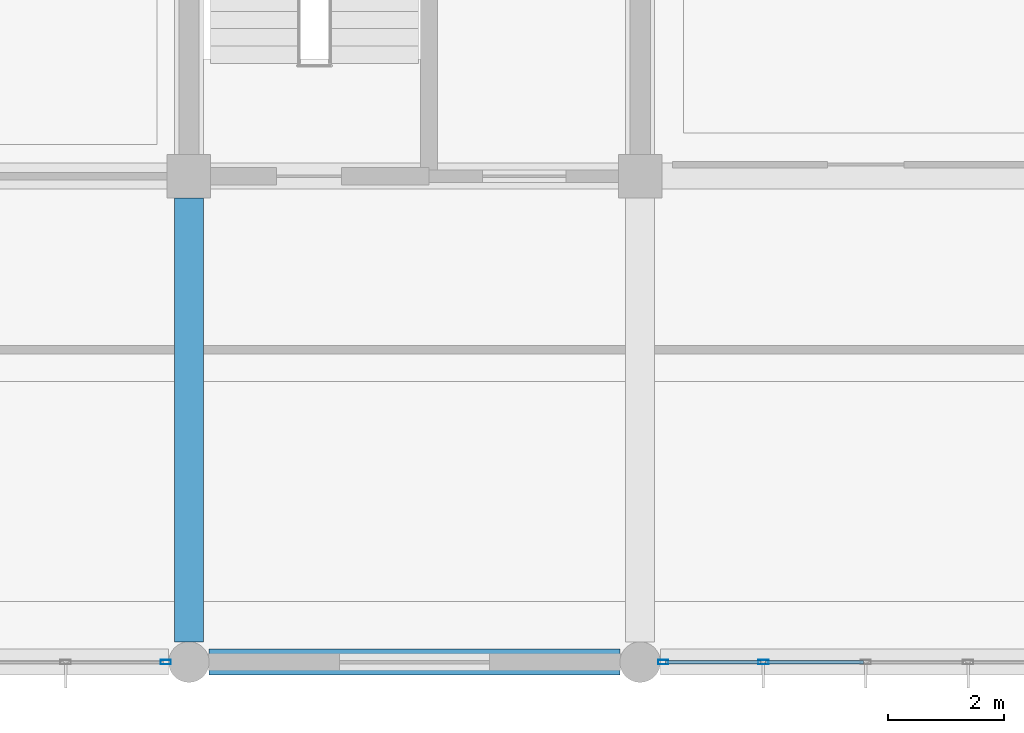
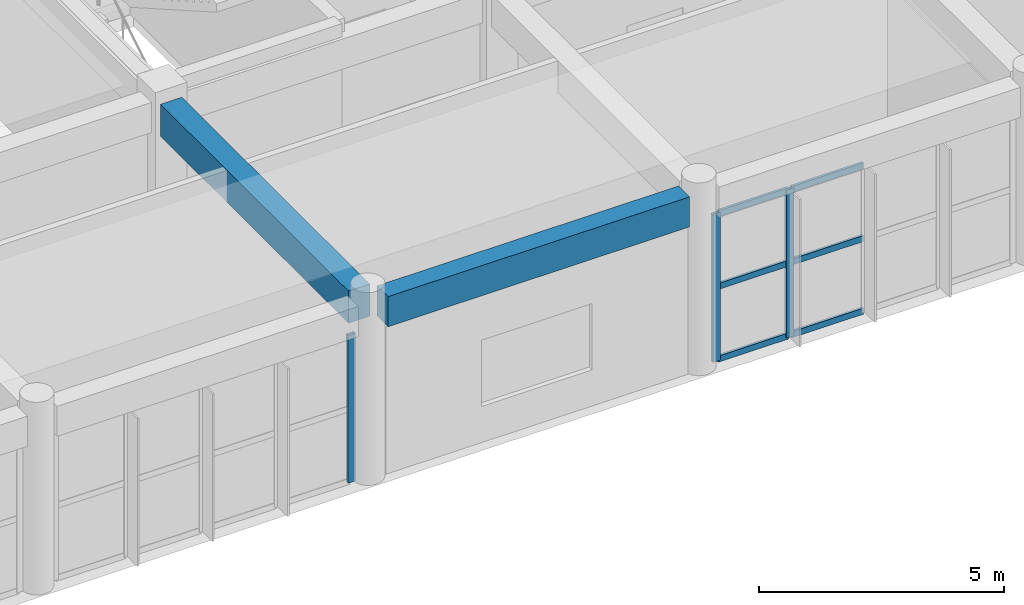
# One storey, part 31 of 175: 9 members, 2 beams, 2 elements without a shape of their own.
"""IFC4 building model written with IfcOpenShell, lengths in metres."""

from ifc_helpers import new_model, si_unit, direction, frame, origin, origin_2d, place, context, subcontext, project, spatial, rectangle, hollow_rectangle, extrude, material, layer, layer_set, material_profile, profile_set, type_object, element, aggregate, save


model = new_model("IFC4")

# Units and contexts
model_context = context("Model", 3, precision=1e-05, world=origin(), true_north=direction((0.0, 1.0)))
body_context = subcontext(model_context, "Body", "Model", "MODEL_VIEW")
ifc_project = project(units=[si_unit("LENGTHUNIT", "METRE"), si_unit("AREAUNIT", "SQUARE_METRE"), si_unit("VOLUMEUNIT", "CUBIC_METRE"), si_unit("PLANEANGLEUNIT", "RADIAN"), si_unit("MASSUNIT", "GRAM", prefix="KILO")], contexts=[model_context])

# Site, building, storey
site_placement = place(None, origin())
site = spatial("IfcSite", under=ifc_project, at=site_placement, CompositionType="ELEMENT")
building_placement = place(site_placement, origin())
building = spatial("IfcBuilding", under=site, at=building_placement, Name="Zizhar Promenade General Hospital", CompositionType="ELEMENT")
storey_placement = place(building_placement, frame((0.0, 0.0, 4.800048828125)))
storey = spatial("IfcBuildingStorey", under=building, at=storey_placement, Name="L01", CompositionType="ELEMENT", Elevation=4.800048828125)

# Beams
ifc_material_1 = material(Name="Concrete C35/45", Category="concrete")
ifc_material_profile_1 = material_profile(ifc_material_1, rectangle(XDim=0.449951171875, YDim=0.75, at=origin_2d()))
ifc_profile_set_1 = profile_set([ifc_material_profile_1], Name="Concrete C35/45")
beam_type_1 = type_object("IfcBeamType", Name="BM-RC-450x750", PredefinedType="BEAM", material=ifc_profile_set_1)
beam_1_placement = place(storey_placement, frame((78.35009765625, 0.0, 4.094970703125), z_axis=(1.0, 0.0, 0.0), x_axis=(0.0, 1.0, 0.0)))
element("IfcBeam", 1, at=beam_1_placement, inside=storey, type_object=beam_type_1, Name="Grid Beam X L01 (10-0)", PredefinedType="BEAM", context=body_context, shape_type="SweptSolid", body=[
    extrude(rectangle(XDim=0.449951171875, YDim=0.75, at=origin_2d()), origin(), (0.0, 0.0, 1.0), 7.099853515625),
])
ifc_material_2 = material(Name="Concrete C35/45", Category="concrete")
ifc_material_profile_2 = material_profile(ifc_material_2, rectangle(XDim=0.5, YDim=0.800048828125, at=origin_2d()))
ifc_profile_set_2 = profile_set([ifc_material_profile_2], Name="Concrete C35/45")
beam_type_2 = type_object("IfcBeamType", Name="BM-RC-500x800", PredefinedType="BEAM", material=ifc_profile_set_2)
beam_2_placement = place(storey_placement, frame((78.0, 0.35009765625, 4.070068359375), z_axis=(0.0, 1.0, 0.0), x_axis=(-1.0, 0.0, 0.0)))
element("IfcBeam", 2, at=beam_2_placement, inside=storey, type_object=beam_type_2, Name="Grid Beam Y L01 (10-0)", PredefinedType="BEAM", context=body_context, shape_type="SweptSolid", body=[
    extrude(rectangle(XDim=0.5, YDim=0.800048828125, at=origin_2d()), origin(), (0.0, 0.0, 1.0), 7.6748046875),
])

# Curtain wall, member
ifc_material_3 = material(Name="Anodised aluminium 6063-T6 and low-E glass", Category="aluminium")
ifc_layer = layer(ifc_material_3, 0.159912109375)
ifc_layer_set = layer_set([ifc_layer], Name="Anodised aluminium 6063-T6 and low-E glass")
curtain_wall_type = type_object("IfcCurtainWallType", Name="CW-DT-MOD1", PredefinedType="NOTDEFINED", material=ifc_layer_set)
curtain_wall_1_placement = place(storey_placement, origin())
curtain_wall_1 = element("IfcCurtainWall", 3, at=curtain_wall_1_placement, inside=storey, type_object=curtain_wall_type, Name="Riverfront Clinical Curtain Wall L01-8", PredefinedType="NOTDEFINED")
ifc_material_4 = material(Name="Anodised aluminium 6063-T6", Category="aluminium")
ifc_material_profile_3 = material_profile(ifc_material_4, hollow_rectangle(XDim=0.080078125, YDim=0.179931640625, WallThickness=0.0048828125, at=origin_2d()))
ifc_profile_set_3 = profile_set([ifc_material_profile_3], Name="Anodised aluminium 6063-T6")
member_type_1 = type_object("IfcMemberType", Name="CWM-ALU-180x80", PredefinedType="MULLION", material=ifc_profile_set_3)
member_1_placement = place(storey_placement, frame((77.60009765625, 0.0, 0.0), z_axis=(0.0, 0.0, 1.0), x_axis=(0.0, -1.0, 0.0)))
member_1 = element("IfcMember", 4, at=member_1_placement, type_object=member_type_1, Name="CW-07 mullion 1", PredefinedType="MULLION", context=body_context, shape_type="SweptSolid", body=[
    extrude(hollow_rectangle(XDim=0.080078125, YDim=0.179931640625, WallThickness=0.0048828125, at=origin_2d()), origin(), (0.0, 0.0, 1.0), 3.679931640625),
])
aggregate(curtain_wall_1, [member_1])

# Curtain wall, members
curtain_wall_2_placement = place(storey_placement, origin())
curtain_wall_2 = element("IfcCurtainWall", 5, at=curtain_wall_2_placement, inside=storey, type_object=curtain_wall_type, Name="Riverfront Clinical Curtain Wall L01-10", PredefinedType="NOTDEFINED")
member_2_placement = place(storey_placement, frame((87.929931640625, 0.0, 0.0), z_axis=(0.0, 0.0, 1.0), x_axis=(0.0, -1.0, 0.0)))
member_2 = element("IfcMember", 6, at=member_2_placement, type_object=member_type_1, Name="CW-07 mullion 4", PredefinedType="MULLION", context=body_context, shape_type="SweptSolid", body=[
    extrude(hollow_rectangle(XDim=0.080078125, YDim=0.179931640625, WallThickness=0.0048828125, at=origin_2d()), origin(), (0.0, 0.0, 1.0), 3.679931640625),
])
member_3_placement = place(storey_placement, frame((86.199951171875, 0.0, 0.0), z_axis=(0.0, 0.0, 1.0), x_axis=(0.0, -1.0, 0.0)))
member_3 = element("IfcMember", 7, at=member_3_placement, type_object=member_type_1, Name="CW-07 mullion 5", PredefinedType="MULLION", context=body_context, shape_type="SweptSolid", body=[
    extrude(hollow_rectangle(XDim=0.080078125, YDim=0.179931640625, WallThickness=0.0048828125, at=origin_2d()), origin(), (0.0, 0.0, 1.0), 3.679931640625),
])
ifc_material_5 = material(Name="Anodised aluminium 6063-T6", Category="aluminium")
ifc_material_profile_4 = material_profile(ifc_material_5, hollow_rectangle(XDim=0.06005859375, YDim=0.14990234375, WallThickness=0.00390625, at=origin_2d()))
ifc_profile_set_4 = profile_set([ifc_material_profile_4], Name="Anodised aluminium 6063-T6")
member_type_2 = type_object("IfcMemberType", Name="CWT-ALU-150x60", PredefinedType="USERDEFINED", material=ifc_profile_set_4)
member_4_placement = place(storey_placement, frame((89.659912109375, 0.0, 0.030029296875), z_axis=(-1.0, 0.0, 0.0), x_axis=(0.0, -1.0, 0.0)))
member_4 = element("IfcMember", 8, at=member_4_placement, type_object=member_type_2, Name="CW-07 transom 3.1", ObjectType="TRANSOM", PredefinedType="USERDEFINED", context=body_context, shape_type="SweptSolid", body=[
    extrude(hollow_rectangle(XDim=0.06005859375, YDim=0.14990234375, WallThickness=0.00390625, at=origin_2d()), origin(), (0.0, 0.0, 1.0), 1.68994140625),
])
member_5_placement = place(storey_placement, frame((89.659912109375, 0.0, 1.83984375), z_axis=(-1.0, 0.0, 0.0), x_axis=(0.0, -1.0, 0.0)))
member_5 = element("IfcMember", 9, at=member_5_placement, type_object=member_type_2, Name="CW-07 transom 3.2", ObjectType="TRANSOM", PredefinedType="USERDEFINED", context=body_context, shape_type="SweptSolid", body=[
    extrude(hollow_rectangle(XDim=0.06005859375, YDim=0.14990234375, WallThickness=0.00390625, at=origin_2d()), origin(), (0.0, 0.0, 1.0), 1.68994140625),
])
member_6_placement = place(storey_placement, frame((89.659912109375, 0.0, 3.64990234375), z_axis=(-1.0, 0.0, 0.0), x_axis=(0.0, -1.0, 0.0)))
member_6 = element("IfcMember", 10, at=member_6_placement, type_object=member_type_2, Name="CW-07 transom 3.3", ObjectType="TRANSOM", PredefinedType="USERDEFINED", context=body_context, shape_type="SweptSolid", body=[
    extrude(hollow_rectangle(XDim=0.06005859375, YDim=0.14990234375, WallThickness=0.00390625, at=origin_2d()), origin(), (0.0, 0.0, 1.0), 1.68994140625),
])
member_7_placement = place(storey_placement, frame((87.889892578125, 0.0, 0.030029296875), z_axis=(-1.0, 0.0, 0.0), x_axis=(0.0, -1.0, 0.0)))
member_7 = element("IfcMember", 11, at=member_7_placement, type_object=member_type_2, Name="CW-07 transom 4.1", ObjectType="TRANSOM", PredefinedType="USERDEFINED", context=body_context, shape_type="SweptSolid", body=[
    extrude(hollow_rectangle(XDim=0.06005859375, YDim=0.14990234375, WallThickness=0.00390625, at=origin_2d()), origin(), (0.0, 0.0, 1.0), 1.64990234375),
])
member_8_placement = place(storey_placement, frame((87.889892578125, 0.0, 1.83984375), z_axis=(-1.0, 0.0, 0.0), x_axis=(0.0, -1.0, 0.0)))
member_8 = element("IfcMember", 12, at=member_8_placement, type_object=member_type_2, Name="CW-07 transom 4.2", ObjectType="TRANSOM", PredefinedType="USERDEFINED", context=body_context, shape_type="SweptSolid", body=[
    extrude(hollow_rectangle(XDim=0.06005859375, YDim=0.14990234375, WallThickness=0.00390625, at=origin_2d()), origin(), (0.0, 0.0, 1.0), 1.64990234375),
])
member_9_placement = place(storey_placement, frame((87.889892578125, 0.0, 3.64990234375), z_axis=(-1.0, 0.0, 0.0), x_axis=(0.0, -1.0, 0.0)))
member_9 = element("IfcMember", 13, at=member_9_placement, type_object=member_type_2, Name="CW-07 transom 4.3", ObjectType="TRANSOM", PredefinedType="USERDEFINED", context=body_context, shape_type="SweptSolid", body=[
    extrude(hollow_rectangle(XDim=0.06005859375, YDim=0.14990234375, WallThickness=0.00390625, at=origin_2d()), origin(), (0.0, 0.0, 1.0), 1.64990234375),
])
aggregate(curtain_wall_2, [member_2, member_3, member_4, member_5, member_6, member_7, member_8, member_9])

save(model, "model.ifc")
